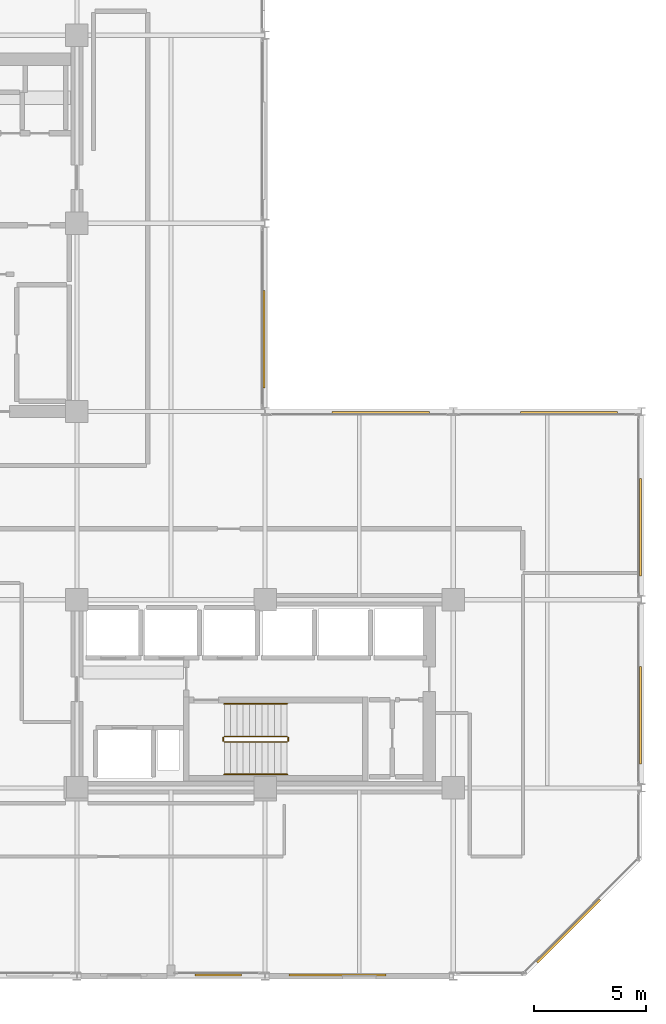
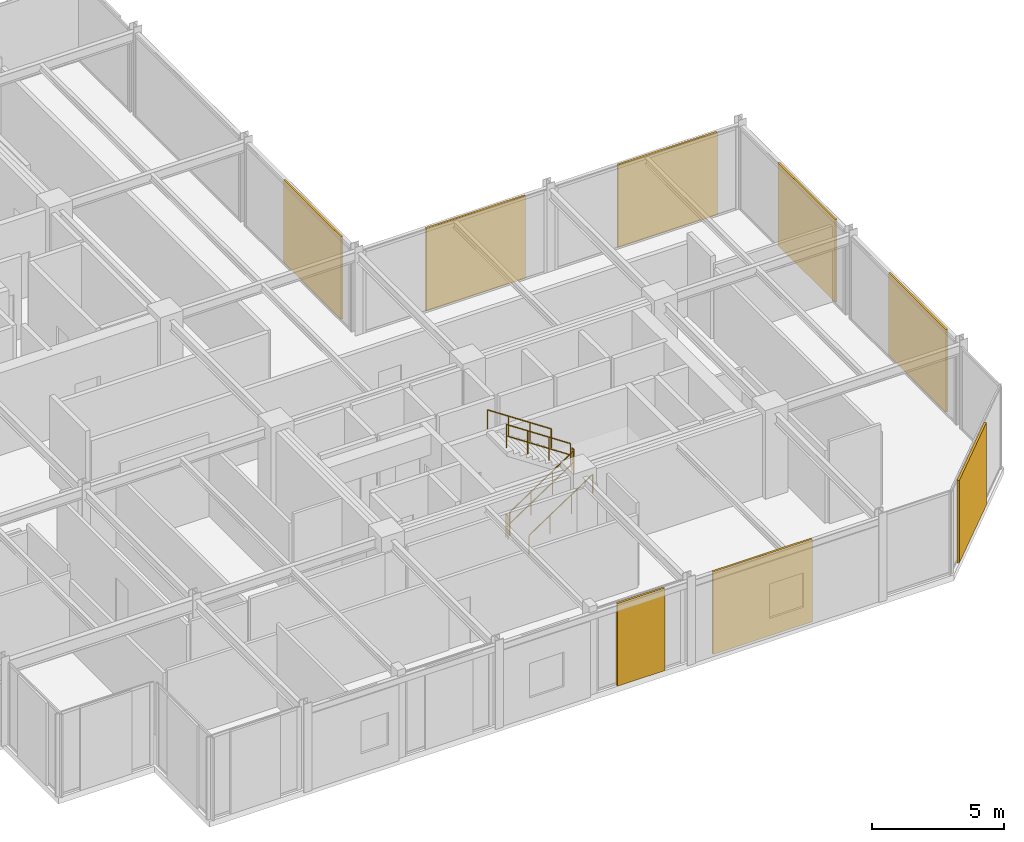
# One storey, part 28 of 29: 8 coverings, 6 railings.
"""IFC4 building model written with IfcOpenShell, lengths in metres."""

from ifc_helpers import new_model, si_unit, direction, frame, origin, origin_2d, place, context, subcontext, project, spatial, rectangle, circle, extrude, material, layer, layer_set, type_object, element, save


model = new_model("IFC4")

# Units and contexts
model_context = context("Model", 3, precision=1e-05, world=origin(), true_north=direction((0.0, 1.0)))
body_context = subcontext(model_context, "Body", "Model", "MODEL_VIEW")
ifc_project = project(units=[si_unit("LENGTHUNIT", "METRE"), si_unit("AREAUNIT", "SQUARE_METRE"), si_unit("VOLUMEUNIT", "CUBIC_METRE"), si_unit("PLANEANGLEUNIT", "RADIAN"), si_unit("MASSUNIT", "GRAM", prefix="KILO")], contexts=[model_context])

# Site, building, storey
site_placement = place(None, origin())
site = spatial("IfcSite", under=ifc_project, at=site_placement, CompositionType="ELEMENT")
building_placement = place(site_placement, origin())
building = spatial("IfcBuilding", under=site, at=building_placement, Name="Nerrivon Quay Data Exchange", CompositionType="ELEMENT")
storey_placement = place(building_placement, frame((0.0, 0.0, 175.5)))
storey = spatial("IfcBuildingStorey", under=building, at=storey_placement, Name="L41", CompositionType="ELEMENT", Elevation=175.5)

# Coverings
ifc_material_1 = material(Name="Architectural terracotta ceramic", Category="masonry")
ifc_layer = layer(ifc_material_1, 0.090087890625)
ifc_layer_set = layer_set([ifc_layer], Name="Architectural terracotta ceramic")
covering_type = type_object("IfcCoveringType", Name="COV-SCR-TERR", PredefinedType="CLADDING", material=ifc_layer_set)
for number, where, z_axis, x_axis, name in (
    (1, (25.155029296875, 28.43408203125, 0.0), (0.0, 0.0, 1.0), (0.0, -1.0, 0.0), "L41 Perforated Terracotta SOLAR SCREEN Cassette"),
    (2, (30.365966796875, 25.155029296875, 0.0), (0.0, 0.0, 1.0), (1.0, 0.0, 0.0), "L41 Perforated Terracotta SOLAR SCREEN Cassette"),
    (3, (38.76611328125, 25.155029296875, 0.0), (0.0, 0.0, 1.0), (1.0, 0.0, 0.0), "L41 Perforated Terracotta SOLAR SCREEN Cassette"),
    (4, (41.955078125, 20.033935546875, 0.0), (0.0, 0.0, 1.0), (0.0, -1.0, 0.0), "L41 Perforated Terracotta SOLAR SCREEN Cassette"),
    (5, (41.955078125, 11.634033203125, 0.0), (0.0, 0.0, 1.0), (0.0, -1.0, 0.0), "L41 Perforated Terracotta SOLAR SCREEN Cassette"),
):
    element("IfcCovering", number, at=place(storey_placement, frame(where, z_axis=z_axis, x_axis=x_axis)), inside=storey, type_object=covering_type, Name=name, PredefinedType="CLADDING", context=body_context, shape_type="SweptSolid", body=[
        extrude(rectangle(XDim=4.346923828125, YDim=0.090087890625, at=origin_2d()), origin(), (0.0, 0.0, 1.0), 3.824951171875),
    ])
covering_1_placement = place(storey_placement, frame((38.744140625, 2.0078125, 0.0), z_axis=(0.0, 0.0, 1.0), x_axis=(-0.707106781187, -0.707106781187, 0.0)))
element("IfcCovering", 6, at=covering_1_placement, inside=storey, type_object=covering_type, Name="L41 Perforated Terracotta SOLAR SCREEN Cassette", PredefinedType="CLADDING", context=body_context, shape_type="SweptSolid", body=[
    extrude(rectangle(XDim=3.970947265625, YDim=0.090087890625, at=origin_2d()), origin(), (0.0, 0.0, 1.0), 3.824951171875),
])
covering_2_placement = place(storey_placement, frame((28.43408203125, 0.044921875, 0.0), z_axis=(0.0, 0.0, 1.0), x_axis=(-1.0, 0.0, 0.0)))
element("IfcCovering", 7, at=covering_2_placement, inside=storey, type_object=covering_type, Name="L41 Perforated Terracotta SOLAR SCREEN Cassette", PredefinedType="CLADDING", context=body_context, shape_type="SweptSolid", body=[
    extrude(rectangle(XDim=4.346923828125, YDim=0.090087890625, at=origin_2d()), origin(), (0.0, 0.0, 1.0), 3.824951171875),
])
covering_3_placement = place(storey_placement, frame((23.10009765625, 0.044921875, 0.0), z_axis=(0.0, 0.0, 1.0), x_axis=(-1.0, 0.0, 0.0)))
element("IfcCovering", 8, at=covering_3_placement, inside=storey, type_object=covering_type, Name="L41 Perforated Terracotta SOLAR SCREEN Cassette", PredefinedType="CLADDING", context=body_context, shape_type="SweptSolid", body=[
    extrude(rectangle(XDim=2.0791015625, YDim=0.090087890625, at=origin_2d()), origin(), (0.0, 0.0, 1.0), 3.824951171875),
])

# Railings
ifc_material_2 = material(Name="Steel Grade C350L0 (350 MPa)", Category="steel")
railing_type_1 = type_object("IfcRailingType", Name="RAIL-HAND-HR1", PredefinedType="HANDRAIL", material=ifc_material_2)
railing_1_placement = place(storey_placement, frame((23.3798828125, 9.0, 0.186279296875)))
element("IfcRailing", 9, at=railing_1_placement, inside=storey, type_object=railing_type_1, Name="L41 ST02 stair handrail 1", PredefinedType="HANDRAIL", context=body_context, shape_type="SweptSolid", body=[
    extrude(circle(Radius=0.02392578125, at=origin_2d()), frame((0.0, 0.0, 0.8759765625), z_axis=(0.832452072856, 0.0, 0.554097055034), x_axis=(0.0, 1.0, 0.0)), (0.0, 0.0, 1.0), 3.363525390625),
    extrude(circle(Radius=0.02099609375, at=origin_2d()), origin(), (0.0, 0.0, 1.0), 0.851806640625),
    extrude(circle(Radius=0.02099609375, at=origin_2d()), frame((0.933349609375, 0.0, 0.621337890625)), (0.0, 0.0, 1.0), 0.851806640625),
    extrude(circle(Radius=0.02099609375, at=origin_2d()), frame((1.86669921875, 0.0, 1.242431640625)), (0.0, 0.0, 1.0), 0.851806640625),
    extrude(circle(Radius=0.02099609375, at=origin_2d()), frame((2.800048828125, 0.0, 1.86376953125)), (0.0, 0.0, 1.0), 0.851806640625),
])
railing_2_placement = place(storey_placement, frame((26.179931640625, 12.14990234375, 2.236328125)))
element("IfcRailing", 10, at=railing_2_placement, inside=storey, type_object=railing_type_1, Name="L41 ST02 stair handrail 2", PredefinedType="HANDRAIL", context=body_context, shape_type="SweptSolid", body=[
    extrude(circle(Radius=0.02392578125, at=origin_2d()), frame((0.0, 0.0, 0.8759765625), z_axis=(-0.832452072856, 0.0, 0.554097055034), x_axis=(0.0, -1.0, 0.0)), (0.0, 0.0, 1.0), 3.363525390625),
    extrude(circle(Radius=0.02099609375, at=origin_2d()), origin(), (0.0, 0.0, 1.0), 0.851806640625),
    extrude(circle(Radius=0.02099609375, at=origin_2d()), frame((-0.933349609375, 0.0, 0.621337890625)), (0.0, 0.0, 1.0), 0.851806640625),
    extrude(circle(Radius=0.02099609375, at=origin_2d()), frame((-1.86669921875, 0.0, 1.242431640625)), (0.0, 0.0, 1.0), 0.851806640625),
    extrude(circle(Radius=0.02099609375, at=origin_2d()), frame((-2.800048828125, 0.0, 1.86376953125)), (0.0, 0.0, 1.0), 0.851806640625),
])
railing_type_2 = type_object("IfcRailingType", Name="RAIL-STAIR-GR1", PredefinedType="BALUSTRADE", material=ifc_material_2)
railing_3_placement = place(storey_placement, frame((23.3798828125, 10.449951171875, 0.186279296875)))
element("IfcRailing", 11, at=railing_3_placement, inside=storey, type_object=railing_type_2, Name="L41 ST02 stair guard 1", PredefinedType="BALUSTRADE", context=body_context, shape_type="SweptSolid", body=[
    extrude(circle(Radius=0.02392578125, at=origin_2d()), frame((0.0, 0.0, 1.076171875), z_axis=(0.832452072856, 0.0, 0.554097055034), x_axis=(0.0, 1.0, 0.0)), (0.0, 0.0, 1.0), 3.363525390625),
    extrude(circle(Radius=0.02392578125, at=origin_2d()), frame((0.0, 0.0, 0.550048828125), z_axis=(0.832452072856, 0.0, 0.554097055034), x_axis=(0.0, 1.0, 0.0)), (0.0, 0.0, 1.0), 3.363525390625),
    extrude(circle(Radius=0.02099609375, at=origin_2d()), origin(), (0.0, 0.0, 1.0), 1.052001953125),
    extrude(circle(Radius=0.02099609375, at=origin_2d()), frame((0.933349609375, 0.0, 0.621337890625)), (0.0, 0.0, 1.0), 1.052001953125),
    extrude(circle(Radius=0.02099609375, at=origin_2d()), frame((1.86669921875, 0.0, 1.242431640625)), (0.0, 0.0, 1.0), 1.052001953125),
    extrude(circle(Radius=0.02099609375, at=origin_2d()), frame((2.800048828125, 0.0, 1.86376953125)), (0.0, 0.0, 1.0), 1.052001953125),
])
railing_4_placement = place(storey_placement, frame((26.22998046875, 10.5, 2.050048828125)))
element("IfcRailing", 12, at=railing_4_placement, inside=storey, type_object=railing_type_2, Name="L41 ST02 stair guard 2", PredefinedType="BALUSTRADE", context=body_context, shape_type="SweptSolid", body=[
    extrude(circle(Radius=0.02392578125, at=origin_2d()), frame((0.0, 0.0, 1.076171875), z_axis=(0.0, 1.0, 0.0), x_axis=(-1.0, 0.0, 0.0)), (0.0, 0.0, 1.0), 0.14990234375),
    extrude(circle(Radius=0.02392578125, at=origin_2d()), frame((0.0, 0.0, 0.550048828125), z_axis=(0.0, 1.0, 0.0), x_axis=(-1.0, 0.0, 0.0)), (0.0, 0.0, 1.0), 0.14990234375),
    extrude(circle(Radius=0.02099609375, at=origin_2d()), origin(), (0.0, 0.0, 1.0), 1.052001953125),
    extrude(circle(Radius=0.02099609375, at=origin_2d()), frame((0.0, 0.14990234375, 0.0)), (0.0, 0.0, 1.0), 1.052001953125),
])
railing_5_placement = place(storey_placement, frame((26.179931640625, 10.699951171875, 2.236328125)))
element("IfcRailing", 13, at=railing_5_placement, inside=storey, type_object=railing_type_2, Name="L41 ST02 stair guard 3", PredefinedType="BALUSTRADE", context=body_context, shape_type="SweptSolid", body=[
    extrude(circle(Radius=0.02392578125, at=origin_2d()), frame((0.0, 0.0, 1.076171875), z_axis=(-0.832452072856, 0.0, 0.554097055034), x_axis=(0.0, -1.0, 0.0)), (0.0, 0.0, 1.0), 3.363525390625),
    extrude(circle(Radius=0.02392578125, at=origin_2d()), frame((0.0, 0.0, 0.550048828125), z_axis=(-0.832452072856, 0.0, 0.554097055034), x_axis=(0.0, -1.0, 0.0)), (0.0, 0.0, 1.0), 3.363525390625),
    extrude(circle(Radius=0.02099609375, at=origin_2d()), origin(), (0.0, 0.0, 1.0), 1.052001953125),
    extrude(circle(Radius=0.02099609375, at=origin_2d()), frame((-0.933349609375, 0.0, 0.621337890625)), (0.0, 0.0, 1.0), 1.052001953125),
    extrude(circle(Radius=0.02099609375, at=origin_2d()), frame((-1.86669921875, 0.0, 1.242431640625)), (0.0, 0.0, 1.0), 1.052001953125),
    extrude(circle(Radius=0.02099609375, at=origin_2d()), frame((-2.800048828125, 0.0, 1.86376953125)), (0.0, 0.0, 1.0), 1.052001953125),
])
railing_6_placement = place(storey_placement, frame((23.330078125, 10.5, 0.0)))
element("IfcRailing", 14, at=railing_6_placement, inside=storey, type_object=railing_type_2, Name="L41 ST02 stair guard 4", PredefinedType="BALUSTRADE", context=body_context, shape_type="SweptSolid", body=[
    extrude(circle(Radius=0.02392578125, at=origin_2d()), frame((0.0, 0.0, 1.076171875), z_axis=(0.0, 1.0, 0.0), x_axis=(-1.0, 0.0, 0.0)), (0.0, 0.0, 1.0), 0.14990234375),
    extrude(circle(Radius=0.02392578125, at=origin_2d()), frame((0.0, 0.0, 0.550048828125), z_axis=(0.0, 1.0, 0.0), x_axis=(-1.0, 0.0, 0.0)), (0.0, 0.0, 1.0), 0.14990234375),
    extrude(circle(Radius=0.02099609375, at=origin_2d()), origin(), (0.0, 0.0, 1.0), 1.052001953125),
    extrude(circle(Radius=0.02099609375, at=origin_2d()), frame((0.0, 0.14990234375, 0.0)), (0.0, 0.0, 1.0), 1.052001953125),
])

save(model, "model.ifc")
